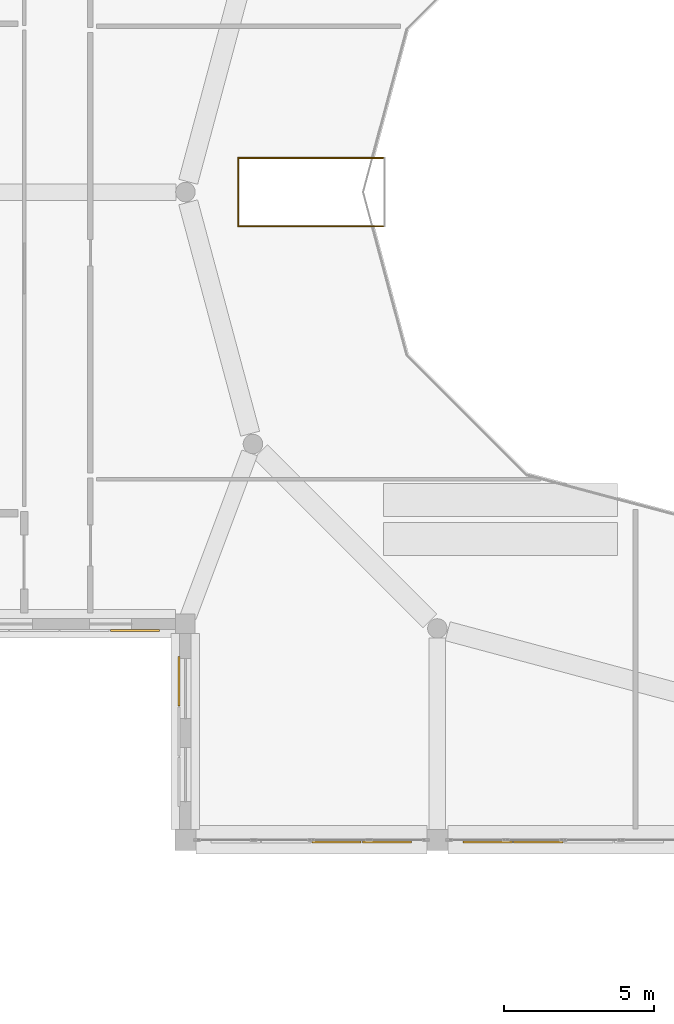
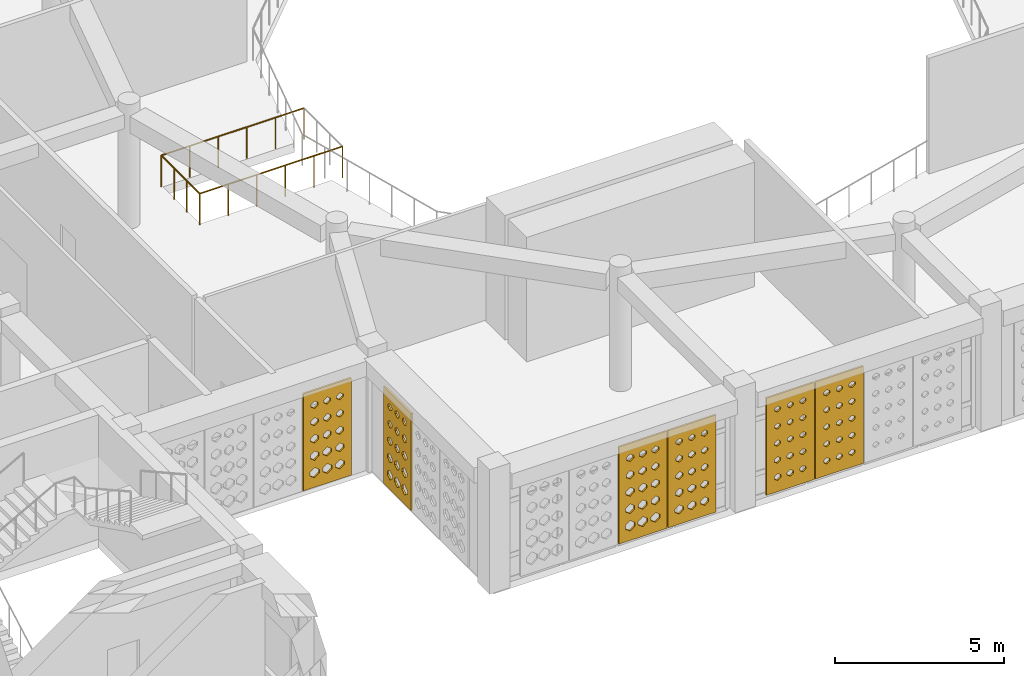
# One storey, part 63 of 79: 6 coverings, 3 railings.
"""IFC4 building model written with IfcOpenShell, lengths in metres."""

import ifcopenshell
import ifcopenshell.guid

model = None  # the IFC model being written
_history = None  # IfcOwnerHistory: only IFC2X3 demands one
_inside = {}  # id of a spatial element -> (the spatial element, [elements in it])
_under = {}  # id of a project, library or spatial element -> (it, [spatial elements below it])
_declared = {}  # id of a project -> (the project, [libraries it declares])
_typed = {}  # id of a type object -> (the type object, [elements of that type])
_made_of = {}  # id of a material, layer set ... -> (it, [elements and type objects made of it])


def new_model(schema):
    """Start an empty IFC model of exactly this schema.

    Asked for "IFC4X3", IfcOpenShell would pick the latest addendum, in which some entities
    have other attributes; the version numbers below select the first issue.
    IFC2X3 requires an IfcOwnerHistory on every rooted entity: one is made here for all.
    """
    global model, _history
    if schema == "IFC4X3":
        model = ifcopenshell.file(schema_version=(4, 3, 0, 0))
    else:
        model = ifcopenshell.file(schema=schema)
    _inside.clear()
    _under.clear()
    _declared.clear()
    _typed.clear()
    _made_of.clear()
    _history = None
    if model.schema == "IFC2X3":
        org = make("IfcOrganization", Name="unknown")
        user = make(
            "IfcPersonAndOrganization",
            ThePerson=make("IfcPerson", FamilyName="unknown"),
            TheOrganization=org,
        )
        app = make(
            "IfcApplication",
            ApplicationDeveloper=org,
            Version="unknown",
            ApplicationFullName="unknown",
            ApplicationIdentifier="unknown",
        )
        _history = make(
            "IfcOwnerHistory",
            OwningUser=user,
            OwningApplication=app,
            ChangeAction="ADDED",
            CreationDate=0,
        )
    return model


def make(cls, **values):
    """One entity of the class cls with the attributes given. An attribute that is None is left unset."""
    return model.create_entity(
        cls, **{name: value for name, value in values.items() if value is not None}
    )


def rooted(cls, **values):
    """An entity with a GlobalId (a new one), such as an element, a storey or a relation."""
    return make(cls, GlobalId=ifcopenshell.guid.new(), OwnerHistory=_history, **values)


def si_unit(unit_type, name, prefix=None):
    """IfcSIUnit, for example si_unit("LENGTHUNIT", "METRE", prefix="MILLI")."""
    return make("IfcSIUnit", UnitType=unit_type, Prefix=prefix, Name=name)


def derived_unit(unit_type, elements):
    """IfcDerivedUnit: a product of units, each with its exponent."""
    return make(
        "IfcDerivedUnit",
        Elements=[
            make("IfcDerivedUnitElement", Unit=unit, Exponent=power)
            for unit, power in elements
        ],
        UnitType=unit_type,
    )


def assignment(units):
    """IfcUnitAssignment: the units of a project."""
    return None if units is None else make("IfcUnitAssignment", Units=units)


def point(xyz):
    """IfcCartesianPoint."""
    return None if xyz is None else make("IfcCartesianPoint", Coordinates=xyz)


def direction(xyz):
    """IfcDirection."""
    return None if xyz is None else make("IfcDirection", DirectionRatios=xyz)


def frame(location, z_axis=None, x_axis=None):
    """IfcAxis2Placement3D, a coordinate frame: its origin and axes. An axis left out is left unset."""
    return make(
        "IfcAxis2Placement3D",
        Location=point(location),
        Axis=direction(z_axis),
        RefDirection=direction(x_axis),
    )


def frame_2d(location, x_axis=None):
    """IfcAxis2Placement2D, a coordinate frame in the plane: its origin and x axis."""
    return make(
        "IfcAxis2Placement2D", Location=point(location), RefDirection=direction(x_axis)
    )


def origin():
    """The frame at (0, 0, 0) with its axes left unset."""
    return frame((0.0, 0.0, 0.0))


def origin_2d():
    """The frame at (0, 0) in the plane with its x axis left unset."""
    return frame_2d((0.0, 0.0))


def place(relative_to, where):
    """IfcLocalPlacement: puts the frame where relative to a parent placement (None: the world)."""
    return make(
        "IfcLocalPlacement", PlacementRelTo=relative_to, RelativePlacement=where
    )


def context(
    kind, dimensions, precision=None, world=None, true_north=None, identifier=None
):
    """IfcGeometricRepresentationContext, for example the 3D "Model" context."""
    return make(
        "IfcGeometricRepresentationContext",
        ContextIdentifier=identifier,
        ContextType=kind,
        CoordinateSpaceDimension=dimensions,
        Precision=precision,
        WorldCoordinateSystem=world,
        TrueNorth=true_north,
    )


def subcontext(parent, identifier, kind, view, scale=None):
    """IfcGeometricRepresentationSubContext, for example "Body" below "Model"."""
    return make(
        "IfcGeometricRepresentationSubContext",
        ContextIdentifier=identifier,
        ContextType=kind,
        ParentContext=parent,
        TargetScale=scale,
        TargetView=view,
    )


def project(units=None, contexts=None):
    """IfcProject with its units and contexts."""
    return rooted(
        "IfcProject",
        Name="project",
        RepresentationContexts=contexts,
        UnitsInContext=assignment(units),
    )


def spatial(cls, under=None, at=None, **own):
    """A site, building, storey or space (cls), placed at a placement, below another one or the project."""
    s = rooted(cls, ObjectPlacement=at, **own)
    if under is not None:
        _under.setdefault(under.id(), (under, []))[1].append(s)
    return s


def polyline(points):
    """IfcPolyline through the points."""
    return make("IfcPolyline", Points=[point(p) for p in points])


def profile(cls, at=None, kind="AREA", **sizes):
    """A parametric profile (cls). Its sizes go by their IFC names, for example OverallWidth=200.0."""
    return make(cls, ProfileType=kind, Position=at, **sizes)


def circle(**sizes):
    """IfcCircleProfileDef."""
    return profile("IfcCircleProfileDef", **sizes)


def outline(outer, holes=None, kind="AREA"):
    """IfcArbitraryClosedProfileDef: a profile drawn as a closed curve; with holes, ...WithVoids."""
    if holes is None:
        return make("IfcArbitraryClosedProfileDef", ProfileType=kind, OuterCurve=outer)
    return make(
        "IfcArbitraryProfileDefWithVoids",
        ProfileType=kind,
        OuterCurve=outer,
        InnerCurves=holes,
    )


def extrude(swept, where, along, depth):
    """IfcExtrudedAreaSolid: the profile swept, set in the frame where, extruded along a direction by depth."""
    return make(
        "IfcExtrudedAreaSolid",
        SweptArea=swept,
        Position=where,
        ExtrudedDirection=direction(along),
        Depth=depth,
    )


def shape(context_of_items, identifier, shape_type, items):
    """IfcShapeRepresentation: the items that make up one representation, for example the "Body"."""
    return make(
        "IfcShapeRepresentation",
        ContextOfItems=context_of_items,
        RepresentationIdentifier=identifier,
        RepresentationType=shape_type,
        Items=items,
    )


def material(Name=None, Category=None):
    """IfcMaterial."""
    return make("IfcMaterial", Name=Name, Category=Category)


def layer(
    of_material, thickness, ventilated=None, Name=None, Category=None, Priority=None
):
    """IfcMaterialLayer: one layer of a wall or slab, of a material (None: an air gap)."""
    return make(
        "IfcMaterialLayer",
        Material=of_material,
        LayerThickness=thickness,
        IsVentilated=ventilated,
        Name=Name,
        Category=Category,
        Priority=Priority,
    )


def layer_set(layers, Name=None):
    """IfcMaterialLayerSet."""
    return make("IfcMaterialLayerSet", MaterialLayers=layers, LayerSetName=Name)


def made_of(thing, what):
    """Note that an element or type object is made of a material, layer set ...; save() writes the relation."""
    if what is not None:
        _made_of.setdefault(what.id(), (what, []))[1].append(thing)
    return thing


def type_object(cls, material=None, **own):
    """A type object (cls), such as IfcWallType, which elements share."""
    return made_of(rooted(cls, **own), material)


def element(
    cls,
    number,
    at=None,
    inside=None,
    cuts=None,
    type_object=None,
    material=None,
    context=None,
    identifier="Body",
    shape_type=None,
    held_by="IfcProductDefinitionShape",
    body=None,
    shapes=None,
    **own,
):
    """One element of the class cls, such as IfcWall. Its Tag is "e" and its number.

    at: its placement. inside: the storey or other place that contains it. cuts: it is an
    opening in that element (IfcRelVoidsElement). A single representation is given by context,
    identifier, shape_type and body (its items); several are given by shapes. held_by: the class
    of the entity that holds the representations. save() writes the other relations.
    """
    e = rooted(cls, Tag="e%d" % number, ObjectPlacement=at, **own)
    if body is not None:
        shapes = [shape(context, identifier, shape_type, body)]
    if shapes is not None:
        e.Representation = make(held_by, Representations=shapes)
    if inside is not None:
        _inside.setdefault(inside.id(), (inside, []))[1].append(e)
    if cuts is not None:
        rooted(
            "IfcRelVoidsElement", RelatingBuildingElement=cuts, RelatedOpeningElement=e
        )
    if type_object is not None:
        _typed.setdefault(type_object.id(), (type_object, []))[1].append(e)
    return made_of(e, material)


def aggregate(whole, parts):
    """IfcRelAggregates: a whole, such as a stair, and the parts it consists of."""
    return rooted("IfcRelAggregates", RelatingObject=whole, RelatedObjects=parts)


def save(model, path):
    """Write the relations noted so far, then the file.

    IfcRelAggregates (storeys below a building ...), IfcRelContainedInSpatialStructure (elements
    in a storey), IfcRelDefinesByType, IfcRelAssociatesMaterial and IfcRelDeclares: one each for
    every whole, place, type object, material and project.
    """
    for whole, parts in _under.values():
        aggregate(whole, parts)
    for where, things in _inside.values():
        rooted(
            "IfcRelContainedInSpatialStructure",
            RelatedElements=things,
            RelatingStructure=where,
        )
    for kind, things in _typed.values():
        rooted("IfcRelDefinesByType", RelatedObjects=things, RelatingType=kind)
    for what, things in _made_of.values():
        rooted("IfcRelAssociatesMaterial", RelatedObjects=things, RelatingMaterial=what)
    for by, libraries in _declared.values():
        rooted("IfcRelDeclares", RelatingContext=by, RelatedDefinitions=libraries)
    model.write(path)


model = new_model("IFC4")

# Units and contexts
model_context = context("Model", 3, precision=1e-05, world=origin(), true_north=direction((0.0, 1.0)))
body_context = subcontext(model_context, "Body", "Model", "MODEL_VIEW")
ifc_project = project(units=[si_unit("LENGTHUNIT", "METRE"), si_unit("AREAUNIT", "SQUARE_METRE"), si_unit("VOLUMEUNIT", "CUBIC_METRE"), si_unit("PLANEANGLEUNIT", "RADIAN"), si_unit("MASSUNIT", "GRAM", prefix="KILO"), derived_unit("THERMALTRANSMITTANCEUNIT", [(si_unit("POWERUNIT", "WATT"), 1), (si_unit("LENGTHUNIT", "METRE"), -2), (si_unit("THERMODYNAMICTEMPERATUREUNIT", "KELVIN"), -1)])], contexts=[model_context])

# Site, building, storey
site_placement = place(None, origin())
site = spatial("IfcSite", under=ifc_project, at=site_placement, CompositionType="ELEMENT")
building_placement = place(site_placement, origin())
building = spatial("IfcBuilding", under=site, at=building_placement, Name="Veybourne Emporium", CompositionType="ELEMENT")
storey_placement = place(building_placement, frame((0.0, 0.0, 18.89990234375)))
storey = spatial("IfcBuildingStorey", under=building, at=storey_placement, Name="L04", CompositionType="ELEMENT", Elevation=18.89990234375)

# Railings
ifc_material_1 = material(Name="Patinated Architectural Bronze", Category="bronze")
railing_type = type_object("IfcRailingType", Name="Balustrade_BL-01", PredefinedType="BALUSTRADE", material=ifc_material_1)
railing_1_placement = place(storey_placement, frame((60.56005859375, 49.260009765625, 0.0)))
element("IfcRailing", 1, at=railing_1_placement, inside=storey, type_object=railing_type, Name="L04 escalator well balustrade 1.1", PredefinedType="BALUSTRADE", context=body_context, shape_type="SweptSolid", body=[
    extrude(circle(Radius=0.02392578125, at=origin_2d()), frame((0.0, 0.0, 1.1259765625), z_axis=(1.0, 0.0, 0.0), x_axis=(0.0, 1.0, 0.0)), (0.0, 0.0, 1.0), 4.8798828125),
    extrude(circle(Radius=0.02099609375, at=origin_2d()), origin(), (0.0, 0.0, 1.0), 1.101806640625),
    extrude(circle(Radius=0.02099609375, at=origin_2d()), frame((0.97607421875, 0.0, 0.0)), (0.0, 0.0, 1.0), 1.101806640625),
    extrude(circle(Radius=0.02099609375, at=origin_2d()), frame((1.951904296875, 0.0, 0.0)), (0.0, 0.0, 1.0), 1.101806640625),
    extrude(circle(Radius=0.02099609375, at=origin_2d()), frame((2.927978515625, 0.0, 0.0)), (0.0, 0.0, 1.0), 1.101806640625),
    extrude(circle(Radius=0.02099609375, at=origin_2d()), frame((3.90380859375, 0.0, 0.0)), (0.0, 0.0, 1.0), 1.101806640625),
    extrude(circle(Radius=0.02099609375, at=origin_2d()), frame((4.8798828125, 0.0, 0.0)), (0.0, 0.0, 1.0), 1.101806640625),
])
railing_2_placement = place(storey_placement, frame((65.43994140625, 51.5400390625, 0.0)))
element("IfcRailing", 2, at=railing_2_placement, inside=storey, type_object=railing_type, Name="L04 escalator well balustrade 1.3", PredefinedType="BALUSTRADE", context=body_context, shape_type="SweptSolid", body=[
    extrude(circle(Radius=0.02392578125, at=origin_2d()), frame((0.0, 0.0, 1.1259765625), z_axis=(-1.0, 0.0, 0.0), x_axis=(0.0, -1.0, 0.0)), (0.0, 0.0, 1.0), 4.8798828125),
    extrude(circle(Radius=0.02099609375, at=origin_2d()), origin(), (0.0, 0.0, 1.0), 1.101806640625),
    extrude(circle(Radius=0.02099609375, at=origin_2d()), frame((-0.97607421875, 0.0, 0.0)), (0.0, 0.0, 1.0), 1.101806640625),
    extrude(circle(Radius=0.02099609375, at=origin_2d()), frame((-1.951904296875, 0.0, 0.0)), (0.0, 0.0, 1.0), 1.101806640625),
    extrude(circle(Radius=0.02099609375, at=origin_2d()), frame((-2.927978515625, 0.0, 0.0)), (0.0, 0.0, 1.0), 1.101806640625),
    extrude(circle(Radius=0.02099609375, at=origin_2d()), frame((-3.90380859375, 0.0, 0.0)), (0.0, 0.0, 1.0), 1.101806640625),
    extrude(circle(Radius=0.02099609375, at=origin_2d()), frame((-4.8798828125, 0.0, 0.0)), (0.0, 0.0, 1.0), 1.101806640625),
])
railing_3_placement = place(storey_placement, frame((60.56005859375, 51.5400390625, 0.0)))
element("IfcRailing", 3, at=railing_3_placement, inside=storey, type_object=railing_type, Name="L04 escalator well balustrade 1.4", PredefinedType="BALUSTRADE", context=body_context, shape_type="SweptSolid", body=[
    extrude(circle(Radius=0.02392578125, at=origin_2d()), frame((0.0, 0.0, 1.1259765625), z_axis=(0.0, -1.0, 0.0), x_axis=(1.0, 0.0, 0.0)), (0.0, 0.0, 1.0), 2.280029296875),
    extrude(circle(Radius=0.02099609375, at=origin_2d()), origin(), (0.0, 0.0, 1.0), 1.101806640625),
    extrude(circle(Radius=0.02099609375, at=origin_2d()), frame((0.0, -0.760009765625, 0.0)), (0.0, 0.0, 1.0), 1.101806640625),
    extrude(circle(Radius=0.02099609375, at=origin_2d()), frame((0.0, -1.52001953125, 0.0)), (0.0, 0.0, 1.0), 1.101806640625),
    extrude(circle(Radius=0.02099609375, at=origin_2d()), frame((0.0, -2.280029296875, 0.0)), (0.0, 0.0, 1.0), 1.101806640625),
])

# Coverings
ifc_material_2 = material(Name="Warm-White Perforated Aluminium Screen Alloy", Category="aluminium")
ifc_layer_1 = layer(ifc_material_2, 0.06005859375)
ifc_layer_set_1 = layer_set([ifc_layer_1], Name="Warm-White Perforated Aluminium Screen Alloy")
covering_type_1 = type_object("IfcCoveringType", Name="WaveScreen_SCR-01", PredefinedType="CLADDING", material=ifc_layer_set_1)
covering_1_placement = place(storey_placement, frame((57.1201171875, 35.751953125, 1.815185546875), z_axis=(0.0, 1.0, 0.0), x_axis=(-1.0, 0.0, 0.0)))
element("IfcCovering", 4, at=covering_1_placement, inside=storey, type_object=covering_type_1, Name="L04 wave-perforated aluminium screen SCR-01 (31.1)", PredefinedType="CLADDING", context=body_context, shape_type="SweptSolid", body=[
    extrude(outline(polyline([(-0.81982421875, -1.7548828125), (0.81982421875, -1.7548828125), (0.81982421875, 1.7548828125), (-0.81982421875, 1.7548828125), (-0.81982421875, -1.7548828125)]), holes=[polyline([(-0.433349609375, -1.05712890625), (-0.283447265625, -1.16650390625), (-0.283447265625, -1.28955078125), (-0.433349609375, -1.398681640625), (-0.5830078125, -1.28955078125), (-0.5830078125, -1.16650390625), (-0.433349609375, -1.05712890625)]), polyline([(-0.433349609375, -0.45654296875), (-0.29443359375, -0.557373046875), (-0.29443359375, -0.670654296875), (-0.433349609375, -0.771484375), (-0.572265625, -0.670654296875), (-0.572265625, -0.557373046875), (-0.433349609375, -0.45654296875)]), polyline([(-0.433349609375, 0.145263671875), (-0.304443359375, 0.05224609375), (-0.304443359375, -0.05224609375), (-0.433349609375, -0.145263671875), (-0.562255859375, -0.05224609375), (-0.562255859375, 0.05224609375), (-0.433349609375, 0.145263671875)]), polyline([(-0.433349609375, 0.748291015625), (-0.3134765625, 0.662353515625), (-0.3134765625, 0.565673828125), (-0.433349609375, 0.4794921875), (-0.55322265625, 0.565673828125), (-0.55322265625, 0.662353515625), (-0.433349609375, 0.748291015625)]), polyline([(-0.433349609375, 1.353271484375), (-0.32080078125, 1.273193359375), (-0.32080078125, 1.182861328125), (-0.433349609375, 1.102783203125), (-0.5458984375, 1.182861328125), (-0.5458984375, 1.273193359375), (-0.433349609375, 1.353271484375)]), polyline([(0.0, -1.05078125), (0.15478515625, -1.164306640625), (0.15478515625, -1.291748046875), (0.0, -1.405029296875), (-0.15478515625, -1.291748046875), (-0.15478515625, -1.164306640625), (0.0, -1.05078125)]), polyline([(0.0, -0.450439453125), (0.143798828125, -0.55517578125), (0.143798828125, -0.6728515625), (0.0, -0.777587890625), (-0.143798828125, -0.6728515625), (-0.143798828125, -0.55517578125), (0.0, -0.450439453125)]), polyline([(0.0, 0.150634765625), (0.13330078125, 0.05419921875), (0.13330078125, -0.05419921875), (0.0, -0.150634765625), (-0.13330078125, -0.05419921875), (-0.13330078125, 0.05419921875), (0.0, 0.150634765625)]), polyline([(0.0, 0.753173828125), (0.123779296875, 0.6640625), (0.123779296875, 0.56396484375), (0.0, 0.474853515625), (-0.123779296875, 0.56396484375), (-0.123779296875, 0.6640625), (0.0, 0.753173828125)]), polyline([(0.0, 1.357177734375), (0.11572265625, 1.2744140625), (0.11572265625, 1.181396484375), (0.0, 1.098876953125), (-0.11572265625, 1.181396484375), (-0.11572265625, 1.2744140625), (0.0, 1.357177734375)]), polyline([(0.433349609375, -1.04443359375), (0.593505859375, -1.161865234375), (0.593505859375, -1.294189453125), (0.433349609375, -1.41162109375), (0.273193359375, -1.294189453125), (0.273193359375, -1.161865234375), (0.433349609375, -1.04443359375)]), polyline([(0.433349609375, -0.4443359375), (0.58203125, -0.552978515625), (0.58203125, -0.675048828125), (0.433349609375, -0.78369140625), (0.28466796875, -0.675048828125), (0.28466796875, -0.552978515625), (0.433349609375, -0.4443359375)]), polyline([(0.433349609375, 0.156494140625), (0.5712890625, 0.056396484375), (0.5712890625, -0.056396484375), (0.433349609375, -0.156494140625), (0.29541015625, -0.056396484375), (0.29541015625, 0.056396484375), (0.433349609375, 0.156494140625)]), polyline([(0.433349609375, 0.75830078125), (0.561279296875, 0.666015625), (0.561279296875, 0.56201171875), (0.433349609375, 0.4697265625), (0.305419921875, 0.56201171875), (0.305419921875, 0.666015625), (0.433349609375, 0.75830078125)]), polyline([(0.433349609375, 1.361572265625), (0.552490234375, 1.276123046875), (0.552490234375, 1.179931640625), (0.433349609375, 1.094482421875), (0.314208984375, 1.179931640625), (0.314208984375, 1.276123046875), (0.433349609375, 1.361572265625)])]), origin(), (0.0, 0.0, 1.0), 0.06005859375),
])
covering_2_placement = place(storey_placement, frame((68.8798828125, 28.702880859375, 1.815185546875), z_axis=(0.0, 1.0, 0.0), x_axis=(-1.0, 0.0, 0.0)))
element("IfcCovering", 5, at=covering_2_placement, inside=storey, type_object=covering_type_1, Name="L04 wave-perforated aluminium screen SCR-01 (36C.4)", PredefinedType="CLADDING", context=body_context, shape_type="SweptSolid", body=[
    extrude(outline(polyline([(-0.81982421875, -1.7548828125), (0.81982421875, -1.7548828125), (0.81982421875, 1.7548828125), (-0.81982421875, 1.7548828125), (-0.81982421875, -1.7548828125)]), holes=[polyline([(-0.433349609375, -1.109619140625), (-0.326416015625, -1.185302734375), (-0.326416015625, -1.270751953125), (-0.433349609375, -1.346435546875), (-0.540283203125, -1.270751953125), (-0.540283203125, -1.185302734375), (-0.433349609375, -1.109619140625)]), polyline([(-0.433349609375, -0.500732421875), (-0.33056640625, -0.5732421875), (-0.33056640625, -0.65478515625), (-0.433349609375, -0.727294921875), (-0.5361328125, -0.65478515625), (-0.5361328125, -0.5732421875), (-0.433349609375, -0.500732421875)]), polyline([(-0.433349609375, 0.110595703125), (-0.3330078125, 0.039794921875), (-0.3330078125, -0.039794921875), (-0.433349609375, -0.110595703125), (-0.53369140625, -0.039794921875), (-0.53369140625, 0.039794921875), (-0.433349609375, 0.110595703125)]), polyline([(-0.433349609375, 0.72412109375), (-0.333251953125, 0.65380859375), (-0.333251953125, 0.57421875), (-0.433349609375, 0.50390625), (-0.533447265625, 0.57421875), (-0.533447265625, 0.65380859375), (-0.433349609375, 0.72412109375)]), polyline([(-0.433349609375, 1.340087890625), (-0.33154296875, 1.268310546875), (-0.33154296875, 1.1875), (-0.433349609375, 1.11572265625), (-0.53515625, 1.1875), (-0.53515625, 1.268310546875), (-0.433349609375, 1.340087890625)]), polyline([(0.0, -1.1064453125), (0.109375, -1.18408203125), (0.109375, -1.271728515625), (0.0, -1.349609375), (-0.109375, -1.271728515625), (-0.109375, -1.18408203125), (0.0, -1.1064453125)]), polyline([(0.0, -0.49853515625), (0.1044921875, -0.572509765625), (0.1044921875, -0.655517578125), (0.0, -0.7294921875), (-0.1044921875, -0.655517578125), (-0.1044921875, -0.572509765625), (0.0, -0.49853515625)]), polyline([(0.0, 0.111572265625), (0.101318359375, 0.0400390625), (0.101318359375, -0.0400390625), (0.0, -0.111572265625), (-0.101318359375, -0.0400390625), (-0.101318359375, 0.0400390625), (0.0, 0.111572265625)]), polyline([(0.0, 0.72412109375), (0.10009765625, 0.653564453125), (0.10009765625, 0.574462890625), (0.0, 0.50390625), (-0.10009765625, 0.574462890625), (-0.10009765625, 0.653564453125), (0.0, 0.72412109375)]), polyline([(0.0, 1.339111328125), (0.100830078125, 1.267822265625), (0.100830078125, 1.18798828125), (0.0, 1.116943359375), (-0.100830078125, 1.18798828125), (-0.100830078125, 1.267822265625), (0.0, 1.339111328125)]), polyline([(0.433349609375, -1.10302734375), (0.545654296875, -1.18310546875), (0.545654296875, -1.27294921875), (0.433349609375, -1.35302734375), (0.321044921875, -1.27294921875), (0.321044921875, -1.18310546875), (0.433349609375, -1.10302734375)]), polyline([(0.433349609375, -0.49609375), (0.539794921875, -0.571533203125), (0.539794921875, -0.656494140625), (0.433349609375, -0.73193359375), (0.326904296875, -0.656494140625), (0.326904296875, -0.571533203125), (0.433349609375, -0.49609375)]), polyline([(0.433349609375, 0.113037109375), (0.535888671875, 0.040771484375), (0.535888671875, -0.040771484375), (0.433349609375, -0.113037109375), (0.330810546875, -0.040771484375), (0.330810546875, 0.040771484375), (0.433349609375, 0.113037109375)]), polyline([(0.433349609375, 0.724365234375), (0.53369140625, 0.65380859375), (0.53369140625, 0.57421875), (0.433349609375, 0.503662109375), (0.3330078125, 0.57421875), (0.3330078125, 0.65380859375), (0.433349609375, 0.724365234375)]), polyline([(0.433349609375, 1.338134765625), (0.533447265625, 1.267578125), (0.533447265625, 1.188232421875), (0.433349609375, 1.117919921875), (0.3330078125, 1.188232421875), (0.3330078125, 1.267578125), (0.433349609375, 1.338134765625)])]), origin(), (0.0, 0.0, 1.0), 0.06005859375),
])
ifc_layer_2 = layer(ifc_material_2, 0.06005859375)
ifc_layer_set_2 = layer_set([ifc_layer_2], Name="Warm-White Perforated Aluminium Screen Alloy")
covering_type_2 = type_object("IfcCoveringType", Name="WaveScreen_SCR-02", PredefinedType="CLADDING", material=ifc_layer_set_2)
covering_3_placement = place(storey_placement, frame((58.552001953125, 34.092529296875, 1.815185546875), z_axis=(1.0, 0.0, 0.0), x_axis=(0.0, 1.0, 0.0)))
element("IfcCovering", 6, at=covering_3_placement, inside=storey, type_object=covering_type_2, Name="L04 wave-perforated aluminium screen SCR-02 (34.3)", PredefinedType="CLADDING", context=body_context, shape_type="SweptSolid", body=[
    extrude(outline(polyline([(-0.81982421875, -1.7548828125), (0.81982421875, -1.7548828125), (0.81982421875, 1.7548828125), (-0.81982421875, 1.7548828125), (-0.81982421875, -1.7548828125)]), holes=[polyline([(-0.433349609375, -1.041259765625), (-0.2705078125, -1.16064453125), (-0.2705078125, -1.29541015625), (-0.433349609375, -1.414794921875), (-0.59619140625, -1.29541015625), (-0.59619140625, -1.16064453125), (-0.433349609375, -1.041259765625)]), polyline([(-0.433349609375, -0.441162109375), (-0.281982421875, -0.5517578125), (-0.281982421875, -0.67626953125), (-0.433349609375, -0.786865234375), (-0.584716796875, -0.67626953125), (-0.584716796875, -0.5517578125), (-0.433349609375, -0.441162109375)]), polyline([(-0.433349609375, 0.159423828125), (-0.29296875, 0.057373046875), (-0.29296875, -0.057373046875), (-0.433349609375, -0.159423828125), (-0.57373046875, -0.057373046875), (-0.57373046875, 0.057373046875), (-0.433349609375, 0.159423828125)]), polyline([(-0.433349609375, 0.760986328125), (-0.302978515625, 0.6669921875), (-0.302978515625, 0.56103515625), (-0.433349609375, 0.467041015625), (-0.563720703125, 0.56103515625), (-0.563720703125, 0.6669921875), (-0.433349609375, 0.760986328125)]), polyline([(-0.433349609375, 1.364013671875), (-0.312255859375, 1.27685546875), (-0.312255859375, 1.17919921875), (-0.433349609375, 1.092041015625), (-0.554443359375, 1.17919921875), (-0.554443359375, 1.27685546875), (-0.433349609375, 1.364013671875)]), polyline([(0.0, -1.047607421875), (0.15771484375, -1.1630859375), (0.15771484375, -1.29296875), (0.0, -1.408447265625), (-0.15771484375, -1.29296875), (-0.15771484375, -1.1630859375), (0.0, -1.047607421875)]), polyline([(0.0, -0.447265625), (0.146484375, -0.553955078125), (0.146484375, -0.674072265625), (0.0, -0.78076171875), (-0.146484375, -0.674072265625), (-0.146484375, -0.553955078125), (0.0, -0.447265625)]), polyline([(0.0, 0.153564453125), (0.1357421875, 0.055419921875), (0.1357421875, -0.055419921875), (0.0, -0.153564453125), (-0.1357421875, -0.055419921875), (-0.1357421875, 0.055419921875), (0.0, 0.153564453125)]), polyline([(0.0, 0.755859375), (0.1259765625, 0.6650390625), (0.1259765625, 0.56298828125), (0.0, 0.47216796875), (-0.1259765625, 0.56298828125), (-0.1259765625, 0.6650390625), (0.0, 0.755859375)]), polyline([(0.0, 1.359375), (0.117431640625, 1.275390625), (0.117431640625, 1.1806640625), (0.0, 1.0966796875), (-0.117431640625, 1.1806640625), (-0.117431640625, 1.275390625), (0.0, 1.359375)]), polyline([(0.433349609375, -1.053955078125), (0.585693359375, -1.165283203125), (0.585693359375, -1.290771484375), (0.433349609375, -1.402099609375), (0.281005859375, -1.290771484375), (0.281005859375, -1.165283203125), (0.433349609375, -1.053955078125)]), polyline([(0.433349609375, -0.453369140625), (0.57470703125, -0.55615234375), (0.57470703125, -0.671875), (0.433349609375, -0.774658203125), (0.2919921875, -0.671875), (0.2919921875, -0.55615234375), (0.433349609375, -0.453369140625)]), polyline([(0.433349609375, 0.148193359375), (0.564453125, 0.05322265625), (0.564453125, -0.05322265625), (0.433349609375, -0.148193359375), (0.30224609375, -0.05322265625), (0.30224609375, 0.05322265625), (0.433349609375, 0.148193359375)]), polyline([(0.433349609375, 0.750732421875), (0.555419921875, 0.663330078125), (0.555419921875, 0.564697265625), (0.433349609375, 0.477294921875), (0.311279296875, 0.564697265625), (0.311279296875, 0.663330078125), (0.433349609375, 0.750732421875)]), polyline([(0.433349609375, 1.355224609375), (0.54736328125, 1.273681640625), (0.54736328125, 1.18212890625), (0.433349609375, 1.100830078125), (0.319091796875, 1.18212890625), (0.319091796875, 1.273681640625), (0.433349609375, 1.355224609375)])]), origin(), (0.0, 0.0, 1.0), 0.06005859375),
])
ifc_layer_3 = layer(ifc_material_2, 0.06005859375)
ifc_layer_set_3 = layer_set([ifc_layer_3], Name="Warm-White Perforated Aluminium Screen Alloy")
covering_type_3 = type_object("IfcCoveringType", Name="WaveScreen_SCR-03", PredefinedType="CLADDING", material=ifc_layer_set_3)
covering_4_placement = place(storey_placement, frame((65.52001953125, 28.70458984375, 1.815185546875), z_axis=(0.0, 1.0, 0.0), x_axis=(-1.0, 0.0, 0.0)))
element("IfcCovering", 7, at=covering_4_placement, inside=storey, type_object=covering_type_3, Name="L04 wave-perforated aluminium screen SCR-03 (33C.1)", PredefinedType="CLADDING", context=body_context, shape_type="SweptSolid", body=[
    extrude(outline(polyline([(-0.81982421875, -1.7548828125), (0.81982421875, -1.7548828125), (0.81982421875, 1.7548828125), (-0.81982421875, 1.7548828125), (-0.81982421875, -1.7548828125)]), holes=[polyline([(-0.433349609375, -1.07568359375), (-0.298583984375, -1.173095703125), (-0.298583984375, -1.28271484375), (-0.433349609375, -1.38037109375), (-0.56787109375, -1.28271484375), (-0.56787109375, -1.173095703125), (-0.433349609375, -1.07568359375)]), polyline([(-0.433349609375, -0.473388671875), (-0.308349609375, -0.5634765625), (-0.308349609375, -0.66455078125), (-0.433349609375, -0.754638671875), (-0.558349609375, -0.66455078125), (-0.558349609375, -0.5634765625), (-0.433349609375, -0.473388671875)]), polyline([(-0.433349609375, 0.13037109375), (-0.316650390625, 0.046875), (-0.316650390625, -0.046875), (-0.433349609375, -0.13037109375), (-0.550048828125, -0.046875), (-0.550048828125, 0.046875), (-0.433349609375, 0.13037109375)]), polyline([(-0.433349609375, 0.736083984375), (-0.323486328125, 0.657958984375), (-0.323486328125, 0.570068359375), (-0.433349609375, 0.491943359375), (-0.543212890625, 0.570068359375), (-0.543212890625, 0.657958984375), (-0.433349609375, 0.736083984375)]), polyline([(-0.433349609375, 1.34375), (-0.32861328125, 1.269775390625), (-0.32861328125, 1.186279296875), (-0.433349609375, 1.1123046875), (-0.5380859375, 1.186279296875), (-0.5380859375, 1.269775390625), (-0.433349609375, 1.34375)]), polyline([(0.0, -1.070068359375), (0.139404296875, -1.171142578125), (0.139404296875, -1.284912109375), (0.0, -1.385986328125), (-0.139404296875, -1.284912109375), (-0.139404296875, -1.171142578125), (0.0, -1.070068359375)]), polyline([(0.0, -0.46826171875), (0.129150390625, -0.5615234375), (0.129150390625, -0.66650390625), (0.0, -0.759765625), (-0.129150390625, -0.66650390625), (-0.129150390625, -0.5615234375), (0.0, -0.46826171875)]), polyline([(0.0, 0.134765625), (0.120361328125, 0.048583984375), (0.120361328125, -0.048583984375), (0.0, -0.134765625), (-0.120361328125, -0.048583984375), (-0.120361328125, 0.048583984375), (0.0, 0.134765625)]), polyline([(0.0, 0.739501953125), (0.11279296875, 0.6591796875), (0.11279296875, 0.56884765625), (0.0, 0.488525390625), (-0.11279296875, 0.56884765625), (-0.11279296875, 0.6591796875), (0.0, 0.739501953125)]), polyline([(0.0, 1.34619140625), (0.106689453125, 1.2705078125), (0.106689453125, 1.185302734375), (0.0, 1.109619140625), (-0.106689453125, 1.185302734375), (-0.106689453125, 1.2705078125), (0.0, 1.34619140625)]), polyline([(0.433349609375, -1.06396484375), (0.577392578125, -1.1689453125), (0.577392578125, -1.287109375), (0.433349609375, -1.39208984375), (0.289306640625, -1.287109375), (0.289306640625, -1.1689453125), (0.433349609375, -1.06396484375)]), polyline([(0.433349609375, -0.462890625), (0.56689453125, -0.5595703125), (0.56689453125, -0.66845703125), (0.433349609375, -0.76513671875), (0.2998046875, -0.66845703125), (0.2998046875, -0.5595703125), (0.433349609375, -0.462890625)]), polyline([(0.433349609375, 0.1396484375), (0.5576171875, 0.05029296875), (0.5576171875, -0.05029296875), (0.433349609375, -0.1396484375), (0.30908203125, -0.05029296875), (0.30908203125, 0.05029296875), (0.433349609375, 0.1396484375)]), polyline([(0.433349609375, 0.743408203125), (0.54931640625, 0.66064453125), (0.54931640625, 0.5673828125), (0.433349609375, 0.484619140625), (0.3173828125, 0.5673828125), (0.3173828125, 0.66064453125), (0.433349609375, 0.743408203125)]), polyline([(0.433349609375, 1.349365234375), (0.54248046875, 1.271728515625), (0.54248046875, 1.184326171875), (0.433349609375, 1.106689453125), (0.32421875, 1.184326171875), (0.32421875, 1.271728515625), (0.433349609375, 1.349365234375)])]), origin(), (0.0, 0.0, 1.0), 0.06005859375),
])
ifc_layer_4 = layer(ifc_material_2, 0.06005859375)
ifc_layer_set_4 = layer_set([ifc_layer_4], Name="Warm-White Perforated Aluminium Screen Alloy")
covering_type_4 = type_object("IfcCoveringType", Name="WaveScreen_SCR-04", PredefinedType="CLADDING", material=ifc_layer_set_4)
covering_5_placement = place(storey_placement, frame((63.840087890625, 28.70458984375, 1.815185546875), z_axis=(0.0, 1.0, 0.0), x_axis=(-1.0, 0.0, 0.0)))
element("IfcCovering", 8, at=covering_5_placement, inside=storey, type_object=covering_type_4, Name="L04 wave-perforated aluminium screen SCR-04 (33C.2)", PredefinedType="CLADDING", context=body_context, shape_type="SweptSolid", body=[
    extrude(outline(polyline([(-0.81982421875, -1.7548828125), (0.81982421875, -1.7548828125), (0.81982421875, 1.7548828125), (-0.81982421875, 1.7548828125), (-0.81982421875, -1.7548828125)]), holes=[polyline([(-0.433349609375, -1.052490234375), (-0.27978515625, -1.164794921875), (-0.27978515625, -1.291259765625), (-0.433349609375, -1.403564453125), (-0.5869140625, -1.291259765625), (-0.5869140625, -1.164794921875), (-0.433349609375, -1.052490234375)]), polyline([(-0.433349609375, -0.451904296875), (-0.290771484375, -0.5556640625), (-0.290771484375, -0.67236328125), (-0.433349609375, -0.77587890625), (-0.575927734375, -0.67236328125), (-0.575927734375, -0.5556640625), (-0.433349609375, -0.451904296875)]), polyline([(-0.433349609375, 0.1494140625), (-0.301025390625, 0.0537109375), (-0.301025390625, -0.0537109375), (-0.433349609375, -0.1494140625), (-0.5654296875, -0.0537109375), (-0.5654296875, 0.0537109375), (-0.433349609375, 0.1494140625)]), polyline([(-0.433349609375, 0.751953125), (-0.310546875, 0.663818359375), (-0.310546875, 0.564208984375), (-0.433349609375, 0.47607421875), (-0.55615234375, 0.564208984375), (-0.55615234375, 0.663818359375), (-0.433349609375, 0.751953125)]), polyline([(-0.433349609375, 1.356201171875), (-0.318603515625, 1.274169921875), (-0.318603515625, 1.181884765625), (-0.433349609375, 1.099853515625), (-0.548095703125, 1.181884765625), (-0.548095703125, 1.274169921875), (-0.433349609375, 1.356201171875)]), polyline([(0.0, -1.046142578125), (0.15869140625, -1.16259765625), (0.15869140625, -1.29345703125), (0.0, -1.409912109375), (-0.15869140625, -1.29345703125), (-0.15869140625, -1.16259765625), (0.0, -1.046142578125)]), polyline([(0.0, -0.44580078125), (0.1474609375, -0.553466796875), (0.1474609375, -0.674560546875), (0.0, -0.781982421875), (-0.1474609375, -0.674560546875), (-0.1474609375, -0.553466796875), (0.0, -0.44580078125)]), polyline([(0.0, 0.155029296875), (0.13671875, 0.055908203125), (0.13671875, -0.055908203125), (0.0, -0.155029296875), (-0.13671875, -0.055908203125), (-0.13671875, 0.055908203125), (0.0, 0.155029296875)]), polyline([(0.0, 0.7568359375), (0.126953125, 0.66552734375), (0.126953125, 0.5625), (0.0, 0.47119140625), (-0.126953125, 0.5625), (-0.126953125, 0.66552734375), (0.0, 0.7568359375)]), polyline([(0.0, 1.3603515625), (0.118408203125, 1.275634765625), (0.118408203125, 1.180419921875), (0.0, 1.095703125), (-0.118408203125, 1.180419921875), (-0.118408203125, 1.275634765625), (0.0, 1.3603515625)]), polyline([(0.433349609375, -1.039794921875), (0.597412109375, -1.16015625), (0.597412109375, -1.2958984375), (0.433349609375, -1.416259765625), (0.269287109375, -1.2958984375), (0.269287109375, -1.16015625), (0.433349609375, -1.039794921875)]), polyline([(0.433349609375, -0.439697265625), (0.5859375, -0.55126953125), (0.5859375, -0.6767578125), (0.433349609375, -0.788330078125), (0.28076171875, -0.6767578125), (0.28076171875, -0.55126953125), (0.433349609375, -0.439697265625)]), polyline([(0.433349609375, 0.160888671875), (0.574951171875, 0.057861328125), (0.574951171875, -0.057861328125), (0.433349609375, -0.160888671875), (0.291748046875, -0.057861328125), (0.291748046875, 0.057861328125), (0.433349609375, 0.160888671875)]), polyline([(0.433349609375, 0.76220703125), (0.564697265625, 0.66748046875), (0.564697265625, 0.560546875), (0.433349609375, 0.4658203125), (0.302001953125, 0.560546875), (0.302001953125, 0.66748046875), (0.433349609375, 0.76220703125)]), polyline([(0.433349609375, 1.364990234375), (0.555419921875, 1.27734375), (0.555419921875, 1.1787109375), (0.433349609375, 1.091064453125), (0.311279296875, 1.1787109375), (0.311279296875, 1.27734375), (0.433349609375, 1.364990234375)])]), origin(), (0.0, 0.0, 1.0), 0.06005859375),
])
covering_6_placement = place(storey_placement, frame((70.56005859375, 28.702880859375, 1.815185546875), z_axis=(0.0, 1.0, 0.0), x_axis=(-1.0, 0.0, 0.0)))
element("IfcCovering", 9, at=covering_6_placement, inside=storey, type_object=covering_type_4, Name="L04 wave-perforated aluminium screen SCR-04 (36C.3)", PredefinedType="CLADDING", context=body_context, shape_type="SweptSolid", body=[
    extrude(outline(polyline([(-0.81982421875, -1.7548828125), (0.81982421875, -1.7548828125), (0.81982421875, 1.7548828125), (-0.81982421875, 1.7548828125), (-0.81982421875, -1.7548828125)]), holes=[polyline([(-0.433349609375, -1.116943359375), (-0.33251953125, -1.18798828125), (-0.33251953125, -1.26806640625), (-0.433349609375, -1.339111328125), (-0.5341796875, -1.26806640625), (-0.5341796875, -1.18798828125), (-0.433349609375, -1.116943359375)]), polyline([(-0.433349609375, -0.50390625), (-0.333251953125, -0.574462890625), (-0.333251953125, -0.653564453125), (-0.433349609375, -0.72412109375), (-0.533203125, -0.653564453125), (-0.533203125, -0.574462890625), (-0.433349609375, -0.50390625)]), polyline([(-0.433349609375, 0.111572265625), (-0.33203125, 0.0400390625), (-0.33203125, -0.0400390625), (-0.433349609375, -0.111572265625), (-0.534423828125, -0.0400390625), (-0.534423828125, 0.0400390625), (-0.433349609375, 0.111572265625)]), polyline([(-0.433349609375, 0.729248046875), (-0.3291015625, 0.655517578125), (-0.3291015625, 0.572509765625), (-0.433349609375, 0.498779296875), (-0.53759765625, 0.572509765625), (-0.53759765625, 0.655517578125), (-0.433349609375, 0.729248046875)]), polyline([(-0.433349609375, 1.349365234375), (-0.323974609375, 1.271728515625), (-0.323974609375, 1.184326171875), (-0.433349609375, 1.106689453125), (-0.542724609375, 1.184326171875), (-0.542724609375, 1.271728515625), (-0.433349609375, 1.349365234375)]), polyline([(0.0, -1.11572265625), (0.101806640625, -1.1875), (0.101806640625, -1.268310546875), (0.0, -1.340087890625), (-0.101806640625, -1.268310546875), (-0.101806640625, -1.1875), (0.0, -1.11572265625)]), polyline([(0.0, -0.50390625), (0.10009765625, -0.57421875), (0.10009765625, -0.65380859375), (0.0, -0.72412109375), (-0.10009765625, -0.65380859375), (-0.10009765625, -0.57421875), (0.0, -0.50390625)]), polyline([(0.0, 0.110595703125), (0.100341796875, 0.039794921875), (0.100341796875, -0.039794921875), (0.0, -0.110595703125), (-0.100341796875, -0.039794921875), (-0.100341796875, 0.039794921875), (0.0, 0.110595703125)]), polyline([(0.0, 0.727294921875), (0.102783203125, 0.65478515625), (0.102783203125, 0.5732421875), (0.0, 0.500732421875), (-0.102783203125, 0.5732421875), (-0.102783203125, 0.65478515625), (0.0, 0.727294921875)]), polyline([(0.0, 1.346435546875), (0.10693359375, 1.2705078125), (0.10693359375, 1.185302734375), (0.0, 1.109619140625), (-0.10693359375, 1.185302734375), (-0.10693359375, 1.2705078125), (0.0, 1.346435546875)]), polyline([(0.433349609375, -1.114013671875), (0.53662109375, -1.18701171875), (0.53662109375, -1.26904296875), (0.433349609375, -1.342041015625), (0.330078125, -1.26904296875), (0.330078125, -1.18701171875), (0.433349609375, -1.114013671875)]), polyline([(0.433349609375, -0.503173828125), (0.533935546875, -0.57421875), (0.533935546875, -0.65380859375), (0.433349609375, -0.724853515625), (0.332763671875, -0.65380859375), (0.332763671875, -0.57421875), (0.433349609375, -0.503173828125)]), polyline([(0.433349609375, 0.110107421875), (0.533447265625, 0.03955078125), (0.533447265625, -0.03955078125), (0.433349609375, -0.110107421875), (0.333251953125, -0.03955078125), (0.333251953125, 0.03955078125), (0.433349609375, 0.110107421875)]), polyline([(0.433349609375, 0.7255859375), (0.53466796875, 0.654296875), (0.53466796875, 0.57373046875), (0.433349609375, 0.502197265625), (0.331787109375, 0.57373046875), (0.331787109375, 0.654296875), (0.433349609375, 0.7255859375)]), polyline([(0.433349609375, 1.34375), (0.5380859375, 1.269775390625), (0.5380859375, 1.186279296875), (0.433349609375, 1.1123046875), (0.32861328125, 1.186279296875), (0.32861328125, 1.269775390625), (0.433349609375, 1.34375)])]), origin(), (0.0, 0.0, 1.0), 0.06005859375),
])

save(model, "model.ifc")
